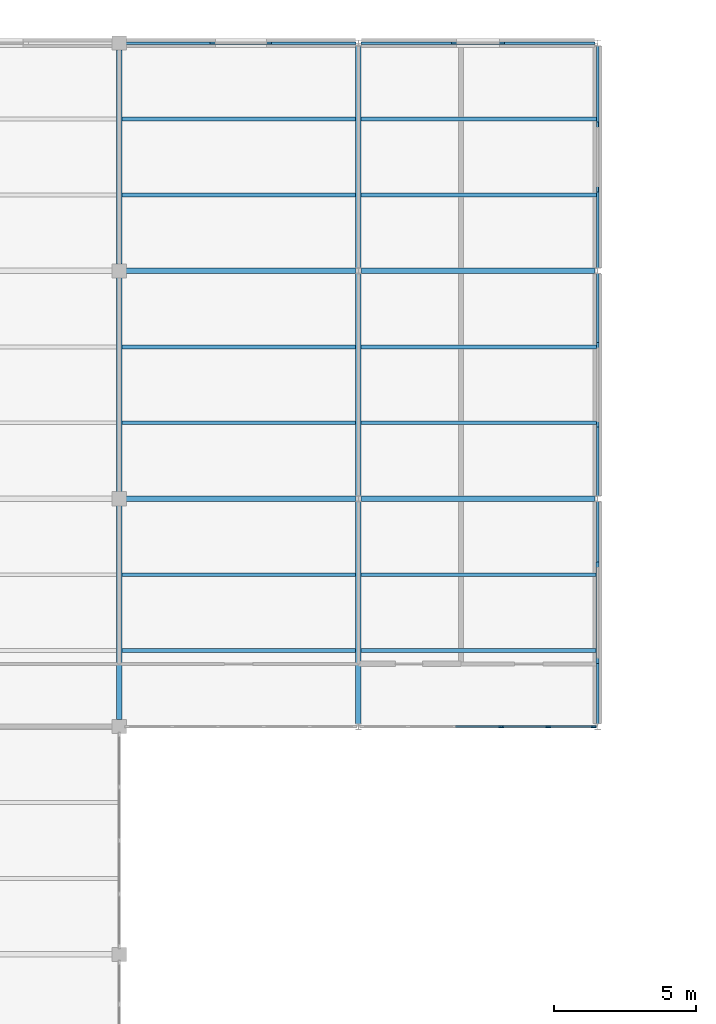
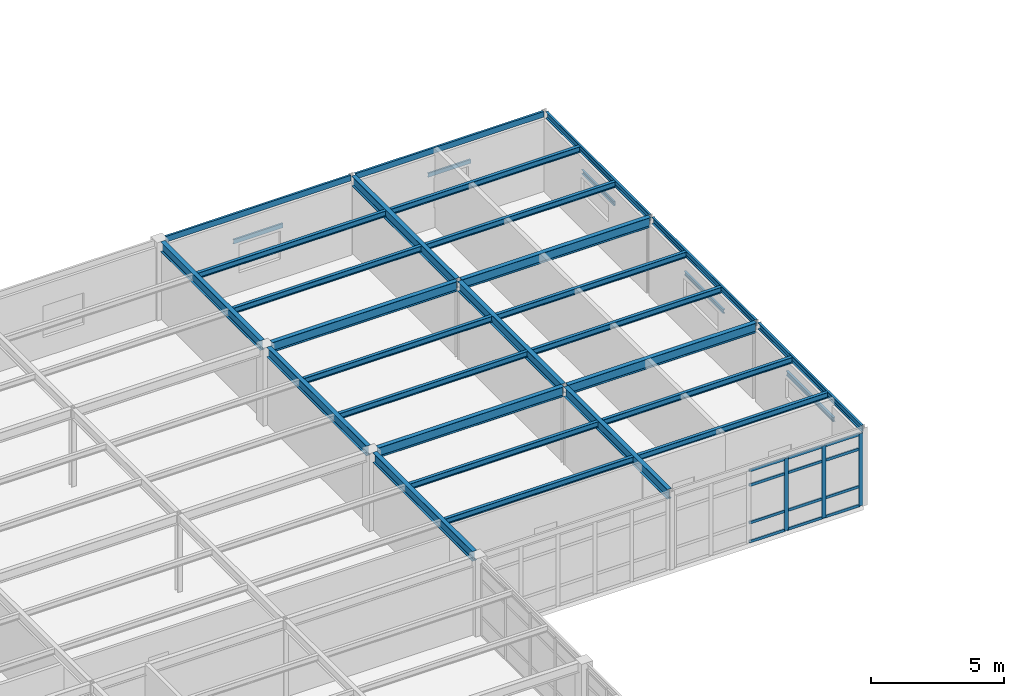
# One storey, part 15 of 32: 32 beams, 15 members, 1 element without a shape of its own.
"""IFC4 building model written with IfcOpenShell, lengths in metres."""

from ifc_helpers import new_model, si_unit, direction, frame, origin, origin_2d, place, context, subcontext, project, spatial, rectangle, i_section, u_section, extrude, material, layer, layer_set, material_profile, profile_set, type_object, element, aggregate, save


model = new_model("IFC4")

# Units and contexts
model_context = context("Model", 3, precision=1e-05, world=origin(), true_north=direction((0.0, 1.0)))
body_context = subcontext(model_context, "Body", "Model", "MODEL_VIEW")
ifc_project = project(units=[si_unit("LENGTHUNIT", "METRE"), si_unit("AREAUNIT", "SQUARE_METRE"), si_unit("VOLUMEUNIT", "CUBIC_METRE"), si_unit("PLANEANGLEUNIT", "RADIAN"), si_unit("MASSUNIT", "GRAM", prefix="KILO")], contexts=[model_context])

# Site, building, storey
site_placement = place(None, origin())
site = spatial("IfcSite", under=ifc_project, at=site_placement, CompositionType="ELEMENT")
building_placement = place(site_placement, origin())
building = spatial("IfcBuilding", under=site, at=building_placement, Name="Kranzveld Transit Interchange", CompositionType="ELEMENT")
storey_placement = place(building_placement, frame((0.0, 0.0, 17.199951171875)))
storey = spatial("IfcBuildingStorey", under=building, at=storey_placement, Name="L04", CompositionType="ELEMENT", Elevation=17.199951171875)

# Beams
ifc_material_1 = material(Name="Steel S355JR", Category="steel")
ifc_material_profile_1 = material_profile(ifc_material_1, i_section(OverallWidth=0.18994140625, OverallDepth=0.453369140625, WebThickness=0.008544921875, FlangeThickness=0.0126953125, FilletRadius=0.01025390625, at=origin_2d()), Name="UB 457x191x67")
ifc_profile_set_1 = profile_set([ifc_material_profile_1], Name="Steel S355JR")
beam_type_1 = type_object("IfcBeamType", Name="Beam Steel UB 457x191x67 S355JR", PredefinedType="BEAM", material=ifc_profile_set_1)
beam_1_placement = place(storey_placement, frame((33.840087890625, 96.0, 3.36328125), z_axis=(1.0, 0.0, 0.0), x_axis=(0.0, 1.0, 0.0)))
element("IfcBeam", 1, at=beam_1_placement, inside=storey, type_object=beam_type_1, Name="L04 Girder 05-06/N", PredefinedType="BEAM", context=body_context, shape_type="SweptSolid", body=[
    extrude(i_section(OverallWidth=0.18994140625, OverallDepth=0.453369140625, WebThickness=0.008544921875, FlangeThickness=0.0126953125, FilletRadius=0.01025390625, at=origin_2d()), origin(), (0.0, 0.0, 1.0), 8.06689453125),
])
beam_2_placement = place(storey_placement, frame((42.093017578125, 96.0, 3.36328125), z_axis=(1.0, 0.0, 0.0), x_axis=(0.0, 1.0, 0.0)))
element("IfcBeam", 2, at=beam_2_placement, inside=storey, type_object=beam_type_1, Name="L04 Girder 06-07/N", PredefinedType="BEAM", context=body_context, shape_type="SweptSolid", body=[
    extrude(i_section(OverallWidth=0.18994140625, OverallDepth=0.453369140625, WebThickness=0.008544921875, FlangeThickness=0.0126953125, FilletRadius=0.01025390625, at=origin_2d()), origin(), (0.0, 0.0, 1.0), 8.214111328125),
])
beam_3_placement = place(storey_placement, frame((33.840087890625, 104.0, 3.36328125), z_axis=(1.0, 0.0, 0.0), x_axis=(0.0, 1.0, 0.0)))
element("IfcBeam", 3, at=beam_3_placement, inside=storey, type_object=beam_type_1, Name="L04 Girder 05-06/P", PredefinedType="BEAM", context=body_context, shape_type="SweptSolid", body=[
    extrude(i_section(OverallWidth=0.18994140625, OverallDepth=0.453369140625, WebThickness=0.008544921875, FlangeThickness=0.0126953125, FilletRadius=0.01025390625, at=origin_2d()), origin(), (0.0, 0.0, 1.0), 8.06689453125),
])
beam_4_placement = place(storey_placement, frame((42.093017578125, 104.0, 3.36328125), z_axis=(1.0, 0.0, 0.0), x_axis=(0.0, 1.0, 0.0)))
element("IfcBeam", 4, at=beam_4_placement, inside=storey, type_object=beam_type_1, Name="L04 Girder 06-07/P", PredefinedType="BEAM", context=body_context, shape_type="SweptSolid", body=[
    extrude(i_section(OverallWidth=0.18994140625, OverallDepth=0.453369140625, WebThickness=0.008544921875, FlangeThickness=0.0126953125, FilletRadius=0.01025390625, at=origin_2d()), origin(), (0.0, 0.0, 1.0), 8.214111328125),
])
for number, where, z_axis, x_axis, name in (
    (5, (33.60009765625, 88.239990234375, 3.36328125), (0.0, 1.0, 0.0), (-1.0, 0.0, 0.0), "L04 Girder 05/M-N"),
    (6, (33.60009765625, 96.239990234375, 3.36328125), (0.0, 1.0, 0.0), (-1.0, 0.0, 0.0), "L04 Girder 05/N-P"),
    (7, (33.60009765625, 104.239990234375, 3.36328125), (0.0, 1.0, 0.0), (-1.0, 0.0, 0.0), "L04 Girder 05/P-Q"),
):
    element("IfcBeam", number, at=place(storey_placement, frame(where, z_axis=z_axis, x_axis=x_axis)), inside=storey, type_object=beam_type_1, Name=name, PredefinedType="BEAM", context=body_context, shape_type="SweptSolid", body=[
        extrude(i_section(OverallWidth=0.18994140625, OverallDepth=0.453369140625, WebThickness=0.008544921875, FlangeThickness=0.0126953125, FilletRadius=0.01025390625, at=origin_2d()), origin(), (0.0, 0.0, 1.0), 7.52001953125),
    ])
for number, where, z_axis, x_axis, name in (
    (8, (42.0, 88.0947265625, 3.36328125), (0.0, 1.0, 0.0), (-1.0, 0.0, 0.0), "L04 Girder 06/M-N"),
    (9, (42.0, 96.0947265625, 3.36328125), (0.0, 1.0, 0.0), (-1.0, 0.0, 0.0), "L04 Girder 06/N-P"),
    (10, (42.0, 104.0947265625, 3.36328125), (0.0, 1.0, 0.0), (-1.0, 0.0, 0.0), "L04 Girder 06/P-Q"),
):
    element("IfcBeam", number, at=place(storey_placement, frame(where, z_axis=z_axis, x_axis=x_axis)), inside=storey, type_object=beam_type_1, Name=name, PredefinedType="BEAM", context=body_context, shape_type="SweptSolid", body=[
        extrude(i_section(OverallWidth=0.18994140625, OverallDepth=0.453369140625, WebThickness=0.008544921875, FlangeThickness=0.0126953125, FilletRadius=0.01025390625, at=origin_2d()), origin(), (0.0, 0.0, 1.0), 7.810546875),
    ])

# Curtain wall, members
ifc_material_2 = material(Name="Bronze-anodised thermally broken aluminium", Category="aluminium")
ifc_layer = layer(ifc_material_2, 0.1650390625)
ifc_layer_set = layer_set([ifc_layer], Name="Bronze-anodised thermally broken aluminium")
curtain_wall_type = type_object("IfcCurtainWallType", Name="Sunny Court Arcade Curtain Wall CW-2", PredefinedType="USERDEFINED", material=ifc_layer_set)
curtain_wall_placement = place(storey_placement, origin())
curtain_wall = element("IfcCurtainWall", 11, at=curtain_wall_placement, inside=storey, type_object=curtain_wall_type, Name="L04 Curtain Wall 06/M-07/M", ObjectType="CURTAIN WALL", PredefinedType="USERDEFINED")
ifc_material_3 = material(Name="Bronze-anodised thermally broken aluminium", Category="aluminium")
ifc_material_profile_2 = material_profile(ifc_material_3, rectangle(XDim=0.06494140625, YDim=0.179931640625, at=origin_2d()), Name="ALU MULLION 65x180")
ifc_profile_set_2 = profile_set([ifc_material_profile_2], Name="Bronze-anodised thermally broken aluminium")
member_type_1 = type_object("IfcMemberType", Name="Curtain Wall Mullion 65x180 Alu", PredefinedType="MULLION", material=ifc_profile_set_2)
member_1_placement = place(storey_placement, frame((47.01953125, 88.0, 0.0), z_axis=(0.0, 0.0, 1.0), x_axis=(0.0, 1.0, 0.0)))
member_1 = element("IfcMember", 12, at=member_1_placement, type_object=member_type_1, Name="CW-2 mullion 4", PredefinedType="MULLION", context=body_context, shape_type="SweptSolid", body=[
    extrude(rectangle(XDim=0.06494140625, YDim=0.179931640625, at=origin_2d()), origin(), (0.0, 0.0, 1.0), 3.330078125),
])
member_2_placement = place(storey_placement, frame((48.658203125, 88.0, 0.0), z_axis=(0.0, 0.0, 1.0), x_axis=(0.0, 1.0, 0.0)))
member_2 = element("IfcMember", 13, at=member_2_placement, type_object=member_type_1, Name="CW-2 mullion 5", PredefinedType="MULLION", context=body_context, shape_type="SweptSolid", body=[
    extrude(rectangle(XDim=0.06494140625, YDim=0.179931640625, at=origin_2d()), origin(), (0.0, 0.0, 1.0), 3.330078125),
])
member_3_placement = place(storey_placement, frame((50.2646484375, 88.0, 0.0), z_axis=(0.0, 0.0, 1.0), x_axis=(0.0, 1.0, 0.0)))
member_3 = element("IfcMember", 14, at=member_3_placement, type_object=member_type_1, Name="CW-2 mullion 6", PredefinedType="MULLION", context=body_context, shape_type="SweptSolid", body=[
    extrude(rectangle(XDim=0.06494140625, YDim=0.179931640625, at=origin_2d()), origin(), (0.0, 0.0, 1.0), 3.330078125),
])
ifc_material_4 = material(Name="Bronze-anodised thermally broken aluminium", Category="aluminium")
ifc_material_profile_3 = material_profile(ifc_material_4, rectangle(XDim=0.06005859375, YDim=0.125, at=origin_2d()), Name="ALU TRANSOM 60x125")
ifc_profile_set_3 = profile_set([ifc_material_profile_3], Name="Bronze-anodised thermally broken aluminium")
member_type_2 = type_object("IfcMemberType", Name="Curtain Wall Transom 60x125 Alu", PredefinedType="USERDEFINED", material=ifc_profile_set_3)
member_4_placement = place(storey_placement, frame((45.4130859375, 88.0, 0.030029296875), z_axis=(1.0, 0.0, 0.0), x_axis=(0.0, 1.0, 0.0)))
member_4 = element("IfcMember", 15, at=member_4_placement, type_object=member_type_2, Name="CW-2 transom 3.1", ObjectType="TRANSOM", PredefinedType="USERDEFINED", context=body_context, shape_type="SweptSolid", body=[
    extrude(rectangle(XDim=0.06005859375, YDim=0.125, at=origin_2d()), origin(), (0.0, 0.0, 1.0), 1.57373046875),
])
member_5_placement = place(storey_placement, frame((45.4130859375, 88.0, 0.900146484375), z_axis=(1.0, 0.0, 0.0), x_axis=(0.0, 1.0, 0.0)))
member_5 = element("IfcMember", 16, at=member_5_placement, type_object=member_type_2, Name="CW-2 transom 3.2", ObjectType="TRANSOM", PredefinedType="USERDEFINED", context=body_context, shape_type="SweptSolid", body=[
    extrude(rectangle(XDim=0.06005859375, YDim=0.125, at=origin_2d()), origin(), (0.0, 0.0, 1.0), 1.57373046875),
])
member_6_placement = place(storey_placement, frame((45.4130859375, 88.0, 2.630126953125), z_axis=(1.0, 0.0, 0.0), x_axis=(0.0, 1.0, 0.0)))
member_6 = element("IfcMember", 17, at=member_6_placement, type_object=member_type_2, Name="CW-2 transom 3.3", ObjectType="TRANSOM", PredefinedType="USERDEFINED", context=body_context, shape_type="SweptSolid", body=[
    extrude(rectangle(XDim=0.06005859375, YDim=0.125, at=origin_2d()), origin(), (0.0, 0.0, 1.0), 1.57373046875),
])
member_7_placement = place(storey_placement, frame((45.4130859375, 88.0, 3.300048828125), z_axis=(1.0, 0.0, 0.0), x_axis=(0.0, 1.0, 0.0)))
member_7 = element("IfcMember", 18, at=member_7_placement, type_object=member_type_2, Name="CW-2 transom 3.4", ObjectType="TRANSOM", PredefinedType="USERDEFINED", context=body_context, shape_type="SweptSolid", body=[
    extrude(rectangle(XDim=0.06005859375, YDim=0.125, at=origin_2d()), origin(), (0.0, 0.0, 1.0), 1.57373046875),
])
member_8_placement = place(storey_placement, frame((47.052001953125, 88.0, 0.030029296875), z_axis=(1.0, 0.0, 0.0), x_axis=(0.0, 1.0, 0.0)))
member_8 = element("IfcMember", 19, at=member_8_placement, type_object=member_type_2, Name="CW-2 transom 4.1", ObjectType="TRANSOM", PredefinedType="USERDEFINED", context=body_context, shape_type="SweptSolid", body=[
    extrude(rectangle(XDim=0.06005859375, YDim=0.125, at=origin_2d()), origin(), (0.0, 0.0, 1.0), 1.57373046875),
])
member_9_placement = place(storey_placement, frame((47.052001953125, 88.0, 0.900146484375), z_axis=(1.0, 0.0, 0.0), x_axis=(0.0, 1.0, 0.0)))
member_9 = element("IfcMember", 20, at=member_9_placement, type_object=member_type_2, Name="CW-2 transom 4.2", ObjectType="TRANSOM", PredefinedType="USERDEFINED", context=body_context, shape_type="SweptSolid", body=[
    extrude(rectangle(XDim=0.06005859375, YDim=0.125, at=origin_2d()), origin(), (0.0, 0.0, 1.0), 1.57373046875),
])
member_10_placement = place(storey_placement, frame((47.052001953125, 88.0, 2.630126953125), z_axis=(1.0, 0.0, 0.0), x_axis=(0.0, 1.0, 0.0)))
member_10 = element("IfcMember", 21, at=member_10_placement, type_object=member_type_2, Name="CW-2 transom 4.3", ObjectType="TRANSOM", PredefinedType="USERDEFINED", context=body_context, shape_type="SweptSolid", body=[
    extrude(rectangle(XDim=0.06005859375, YDim=0.125, at=origin_2d()), origin(), (0.0, 0.0, 1.0), 1.57373046875),
])
member_11_placement = place(storey_placement, frame((47.052001953125, 88.0, 3.300048828125), z_axis=(1.0, 0.0, 0.0), x_axis=(0.0, 1.0, 0.0)))
member_11 = element("IfcMember", 22, at=member_11_placement, type_object=member_type_2, Name="CW-2 transom 4.4", ObjectType="TRANSOM", PredefinedType="USERDEFINED", context=body_context, shape_type="SweptSolid", body=[
    extrude(rectangle(XDim=0.06005859375, YDim=0.125, at=origin_2d()), origin(), (0.0, 0.0, 1.0), 1.57373046875),
])
member_12_placement = place(storey_placement, frame((48.690673828125, 88.0, 0.030029296875), z_axis=(1.0, 0.0, 0.0), x_axis=(0.0, 1.0, 0.0)))
member_12 = element("IfcMember", 23, at=member_12_placement, type_object=member_type_2, Name="CW-2 transom 5.1", ObjectType="TRANSOM", PredefinedType="USERDEFINED", context=body_context, shape_type="SweptSolid", body=[
    extrude(rectangle(XDim=0.06005859375, YDim=0.125, at=origin_2d()), origin(), (0.0, 0.0, 1.0), 1.54150390625),
])
member_13_placement = place(storey_placement, frame((48.690673828125, 88.0, 0.900146484375), z_axis=(1.0, 0.0, 0.0), x_axis=(0.0, 1.0, 0.0)))
member_13 = element("IfcMember", 24, at=member_13_placement, type_object=member_type_2, Name="CW-2 transom 5.2", ObjectType="TRANSOM", PredefinedType="USERDEFINED", context=body_context, shape_type="SweptSolid", body=[
    extrude(rectangle(XDim=0.06005859375, YDim=0.125, at=origin_2d()), origin(), (0.0, 0.0, 1.0), 1.54150390625),
])
member_14_placement = place(storey_placement, frame((48.690673828125, 88.0, 2.630126953125), z_axis=(1.0, 0.0, 0.0), x_axis=(0.0, 1.0, 0.0)))
member_14 = element("IfcMember", 25, at=member_14_placement, type_object=member_type_2, Name="CW-2 transom 5.3", ObjectType="TRANSOM", PredefinedType="USERDEFINED", context=body_context, shape_type="SweptSolid", body=[
    extrude(rectangle(XDim=0.06005859375, YDim=0.125, at=origin_2d()), origin(), (0.0, 0.0, 1.0), 1.54150390625),
])
member_15_placement = place(storey_placement, frame((48.690673828125, 88.0, 3.300048828125), z_axis=(1.0, 0.0, 0.0), x_axis=(0.0, 1.0, 0.0)))
member_15 = element("IfcMember", 26, at=member_15_placement, type_object=member_type_2, Name="CW-2 transom 5.4", ObjectType="TRANSOM", PredefinedType="USERDEFINED", context=body_context, shape_type="SweptSolid", body=[
    extrude(rectangle(XDim=0.06005859375, YDim=0.125, at=origin_2d()), origin(), (0.0, 0.0, 1.0), 1.54150390625),
])
aggregate(curtain_wall, [member_1, member_2, member_3, member_4, member_5, member_6, member_7, member_8, member_9, member_10, member_11, member_12, member_13, member_14, member_15])

# Beams
ifc_material_5 = material(Name="Steel S355JR", Category="steel")
ifc_material_profile_4 = material_profile(ifc_material_5, i_section(OverallWidth=0.135009765625, OverallDepth=0.27001953125, WebThickness=0.006591796875, FlangeThickness=0.01025390625, FilletRadius=0.014892578125, at=origin_2d()), Name="IPE 270")
ifc_profile_set_4 = profile_set([ifc_material_profile_4], Name="Steel S355JR")
beam_type_2 = type_object("IfcBeamType", Name="Deck Joist IPE 270 S355JR", PredefinedType="JOIST", material=ifc_profile_set_4)
for number, where, z_axis, x_axis, name in (
    (27, (33.697021484375, 90.666748046875, 3.455078125), (1.0, 0.0, 0.0), (0.0, 1.0, 0.0), "L04 Secondary Joist 05-06/M.1"),
    (28, (33.697021484375, 93.333251953125, 3.455078125), (1.0, 0.0, 0.0), (0.0, 1.0, 0.0), "L04 Secondary Joist 05-06/M.2"),
    (29, (33.697021484375, 98.666748046875, 3.455078125), (1.0, 0.0, 0.0), (0.0, 1.0, 0.0), "L04 Secondary Joist 05-06/N.1"),
    (30, (33.697021484375, 101.333251953125, 3.455078125), (1.0, 0.0, 0.0), (0.0, 1.0, 0.0), "L04 Secondary Joist 05-06/N.2"),
    (31, (33.697021484375, 106.666748046875, 3.455078125), (1.0, 0.0, 0.0), (0.0, 1.0, 0.0), "L04 Secondary Joist 05-06/P.1"),
    (32, (33.697021484375, 109.333251953125, 3.455078125), (1.0, 0.0, 0.0), (0.0, 1.0, 0.0), "L04 Secondary Joist 05-06/P.2"),
):
    element("IfcBeam", number, at=place(storey_placement, frame(where, z_axis=z_axis, x_axis=x_axis)), inside=storey, type_object=beam_type_2, Name=name, PredefinedType="JOIST", context=body_context, shape_type="SweptSolid", body=[
        extrude(i_section(OverallWidth=0.135009765625, OverallDepth=0.27001953125, WebThickness=0.006591796875, FlangeThickness=0.01025390625, FilletRadius=0.014892578125, at=origin_2d()), origin(), (0.0, 0.0, 1.0), 8.2060546875),
    ])
for number, where, z_axis, x_axis, name in (
    (33, (42.096923828125, 90.666748046875, 3.455078125), (1.0, 0.0, 0.0), (0.0, 1.0, 0.0), "L04 Secondary Joist 06-07/M.1"),
    (34, (42.096923828125, 93.333251953125, 3.455078125), (1.0, 0.0, 0.0), (0.0, 1.0, 0.0), "L04 Secondary Joist 06-07/M.2"),
    (35, (42.096923828125, 98.666748046875, 3.455078125), (1.0, 0.0, 0.0), (0.0, 1.0, 0.0), "L04 Secondary Joist 06-07/N.1"),
    (36, (42.096923828125, 101.333251953125, 3.455078125), (1.0, 0.0, 0.0), (0.0, 1.0, 0.0), "L04 Secondary Joist 06-07/N.2"),
    (37, (42.096923828125, 106.666748046875, 3.455078125), (1.0, 0.0, 0.0), (0.0, 1.0, 0.0), "L04 Secondary Joist 06-07/P.1"),
    (38, (42.096923828125, 109.333251953125, 3.455078125), (1.0, 0.0, 0.0), (0.0, 1.0, 0.0), "L04 Secondary Joist 06-07/P.2"),
):
    element("IfcBeam", number, at=place(storey_placement, frame(where, z_axis=z_axis, x_axis=x_axis)), inside=storey, type_object=beam_type_2, Name=name, PredefinedType="JOIST", context=body_context, shape_type="SweptSolid", body=[
        extrude(i_section(OverallWidth=0.135009765625, OverallDepth=0.27001953125, WebThickness=0.006591796875, FlangeThickness=0.01025390625, FilletRadius=0.014892578125, at=origin_2d()), origin(), (0.0, 0.0, 1.0), 8.256103515625),
    ])
ifc_material_6 = material(Name="Steel S355JR", Category="steel")
ifc_material_profile_5 = material_profile(ifc_material_6, u_section(Depth=0.260009765625, FlangeWidth=0.090087890625, WebThickness=0.008056640625, FlangeThickness=0.013916015625, FilletRadius=0.011962890625, at=origin_2d()), Name="PFC 260x90x35")
ifc_profile_set_5 = profile_set([ifc_material_profile_5], Name="Steel S355JR")
beam_type_3 = type_object("IfcBeamType", Name="Edge Spandrel PFC 260x90x35 S355JR", PredefinedType="SPANDREL", material=ifc_profile_set_5)
beam_5_placement = place(storey_placement, frame((33.840087890625, 112.0, 3.4599609375), z_axis=(1.0, 0.0, 0.0), x_axis=(0.0, 1.0, 0.0)))
element("IfcBeam", 39, at=beam_5_placement, inside=storey, type_object=beam_type_3, Name="L04 Girder 05-06/Q", PredefinedType="SPANDREL", context=body_context, shape_type="SweptSolid", body=[
    extrude(u_section(Depth=0.260009765625, FlangeWidth=0.090087890625, WebThickness=0.008056640625, FlangeThickness=0.013916015625, FilletRadius=0.011962890625, at=origin_2d()), origin(), (0.0, 0.0, 1.0), 8.06689453125),
])
beam_6_placement = place(storey_placement, frame((42.093017578125, 112.0, 3.4599609375), z_axis=(1.0, 0.0, 0.0), x_axis=(0.0, 1.0, 0.0)))
element("IfcBeam", 40, at=beam_6_placement, inside=storey, type_object=beam_type_3, Name="L04 Girder 06-07/Q", PredefinedType="SPANDREL", context=body_context, shape_type="SweptSolid", body=[
    extrude(u_section(Depth=0.260009765625, FlangeWidth=0.090087890625, WebThickness=0.008056640625, FlangeThickness=0.013916015625, FilletRadius=0.011962890625, at=origin_2d()), origin(), (0.0, 0.0, 1.0), 8.214111328125),
])
ifc_material_7 = material(Name="Steel S355JR", Category="steel")
ifc_material_profile_6 = material_profile(ifc_material_7, u_section(Depth=0.300048828125, FlangeWidth=0.090087890625, WebThickness=0.009033203125, FlangeThickness=0.015380859375, FilletRadius=0.011962890625, at=origin_2d()), Name="PFC 300x90x41")
ifc_profile_set_6 = profile_set([ifc_material_profile_6], Name="Steel S355JR")
beam_type_4 = type_object("IfcBeamType", Name="Edge Spandrel PFC 300x90x41 S355JR", PredefinedType="SPANDREL", material=ifc_profile_set_6)
for number, where, z_axis, x_axis, name in (
    (41, (50.39990234375, 88.0947265625, 3.43994140625), (0.0, 1.0, 0.0), (-1.0, 0.0, 0.0), "L04 Girder 07/M-N"),
    (42, (50.39990234375, 96.0947265625, 3.43994140625), (0.0, 1.0, 0.0), (-1.0, 0.0, 0.0), "L04 Girder 07/N-P"),
    (43, (50.39990234375, 104.0947265625, 3.43994140625), (0.0, 1.0, 0.0), (-1.0, 0.0, 0.0), "L04 Girder 07/P-Q"),
):
    element("IfcBeam", number, at=place(storey_placement, frame(where, z_axis=z_axis, x_axis=x_axis)), inside=storey, type_object=beam_type_4, Name=name, PredefinedType="SPANDREL", context=body_context, shape_type="SweptSolid", body=[
        extrude(u_section(Depth=0.300048828125, FlangeWidth=0.090087890625, WebThickness=0.009033203125, FlangeThickness=0.015380859375, FilletRadius=0.011962890625, at=origin_2d()), origin(), (0.0, 0.0, 1.0), 7.810546875),
    ])
ifc_material_8 = material(Name="Steel S355JR", Category="steel")
ifc_material_profile_7 = material_profile(ifc_material_8, u_section(Depth=0.179931640625, FlangeWidth=0.070068359375, WebThickness=0.007080078125, FlangeThickness=0.010986328125, FilletRadius=0.010009765625, at=origin_2d()), Name="PFC 180x70x22")
ifc_profile_set_7 = profile_set([ifc_material_profile_7], Name="Steel S355JR")
beam_type_5 = type_object("IfcBeamType", Name="Masonry Lintel PFC 180x70x22 S355JR", PredefinedType="LINTEL", material=ifc_profile_set_7)
beam_7_placement = place(storey_placement, frame((45.27001953125, 112.0, 2.39501953125), z_axis=(1.0, 0.0, 0.0), x_axis=(0.0, 1.0, 0.0)))
element("IfcBeam", 44, at=beam_7_placement, inside=storey, type_object=beam_type_5, Name="L04 Window Lintel 213", PredefinedType="LINTEL", context=body_context, shape_type="SweptSolid", body=[
    extrude(u_section(Depth=0.179931640625, FlangeWidth=0.070068359375, WebThickness=0.007080078125, FlangeThickness=0.010986328125, FilletRadius=0.010009765625, at=origin_2d()), origin(), (0.0, 0.0, 1.0), 1.85986328125),
])
ifc_material_9 = material(Name="Steel S355JR", Category="steel")
ifc_material_profile_8 = material_profile(ifc_material_9, u_section(Depth=0.199951171875, FlangeWidth=0.074951171875, WebThickness=0.006103515625, FlangeThickness=0.012451171875, FilletRadius=0.011962890625, at=origin_2d()), Name="PFC 200x75x23")
ifc_profile_set_8 = profile_set([ifc_material_profile_8], Name="Steel S355JR")
beam_type_6 = type_object("IfcBeamType", Name="Masonry Lintel PFC 200x75x23 S355JR", PredefinedType="LINTEL", material=ifc_profile_set_8)
beam_8_placement = place(storey_placement, frame((36.793701171875, 112.0, 2.304931640625), z_axis=(1.0, 0.0, 0.0), x_axis=(0.0, 1.0, 0.0)))
element("IfcBeam", 45, at=beam_8_placement, inside=storey, type_object=beam_type_6, Name="L04 Window Lintel 212", PredefinedType="LINTEL", context=body_context, shape_type="SweptSolid", body=[
    extrude(u_section(Depth=0.199951171875, FlangeWidth=0.074951171875, WebThickness=0.006103515625, FlangeThickness=0.012451171875, FilletRadius=0.011962890625, at=origin_2d()), origin(), (0.0, 0.0, 1.0), 2.159912109375),
])
beam_9_placement = place(storey_placement, frame((50.39990234375, 106.77001953125, 2.455078125), z_axis=(0.0, 1.0, 0.0), x_axis=(-1.0, 0.0, 0.0)))
element("IfcBeam", 46, at=beam_9_placement, inside=storey, type_object=beam_type_6, Name="L04 Window Lintel 216", PredefinedType="LINTEL", context=body_context, shape_type="SweptSolid", body=[
    extrude(u_section(Depth=0.199951171875, FlangeWidth=0.074951171875, WebThickness=0.006103515625, FlangeThickness=0.012451171875, FilletRadius=0.011962890625, at=origin_2d()), origin(), (0.0, 0.0, 1.0), 2.4599609375),
])
ifc_material_10 = material(Name="Steel S355JR", Category="steel")
ifc_material_profile_9 = material_profile(ifc_material_10, i_section(OverallWidth=0.091064453125, OverallDepth=0.179931640625, WebThickness=0.00537109375, FlangeThickness=0.008056640625, FilletRadius=0.009033203125, at=origin_2d()), Name="IPE 180")
ifc_profile_set_9 = profile_set([ifc_material_profile_9], Name="Steel S355JR")
beam_type_7 = type_object("IfcBeamType", Name="Opening Lintel IPE 180 S355JR", PredefinedType="LINTEL", material=ifc_profile_set_9)
beam_10_placement = place(storey_placement, frame((50.39990234375, 98.52001953125, 2.4951171875), z_axis=(0.0, 1.0, 0.0), x_axis=(-1.0, 0.0, 0.0)))
element("IfcBeam", 47, at=beam_10_placement, inside=storey, type_object=beam_type_7, Name="L04 Window Lintel 215", PredefinedType="LINTEL", context=body_context, shape_type="SweptSolid", body=[
    extrude(i_section(OverallWidth=0.091064453125, OverallDepth=0.179931640625, WebThickness=0.00537109375, FlangeThickness=0.008056640625, FilletRadius=0.009033203125, at=origin_2d()), origin(), (0.0, 0.0, 1.0), 2.9599609375),
])
ifc_material_11 = material(Name="Steel S355JR", Category="steel")
ifc_material_profile_10 = material_profile(ifc_material_11, i_section(OverallWidth=0.10009765625, OverallDepth=0.199951171875, WebThickness=0.005615234375, FlangeThickness=0.008544921875, FilletRadius=0.011962890625, at=origin_2d()), Name="IPE 200")
ifc_profile_set_10 = profile_set([ifc_material_profile_10], Name="Steel S355JR")
beam_type_8 = type_object("IfcBeamType", Name="Opening Lintel IPE 200 S355JR", PredefinedType="LINTEL", material=ifc_profile_set_10)
beam_11_placement = place(storey_placement, frame((50.39990234375, 90.219970703125, 2.554931640625), z_axis=(0.0, 1.0, 0.0), x_axis=(-1.0, 0.0, 0.0)))
element("IfcBeam", 48, at=beam_11_placement, inside=storey, type_object=beam_type_8, Name="L04 Window Lintel 214", PredefinedType="LINTEL", context=body_context, shape_type="SweptSolid", body=[
    extrude(i_section(OverallWidth=0.10009765625, OverallDepth=0.199951171875, WebThickness=0.005615234375, FlangeThickness=0.008544921875, FilletRadius=0.011962890625, at=origin_2d()), origin(), (0.0, 0.0, 1.0), 3.56005859375),
])

save(model, "model.ifc")
